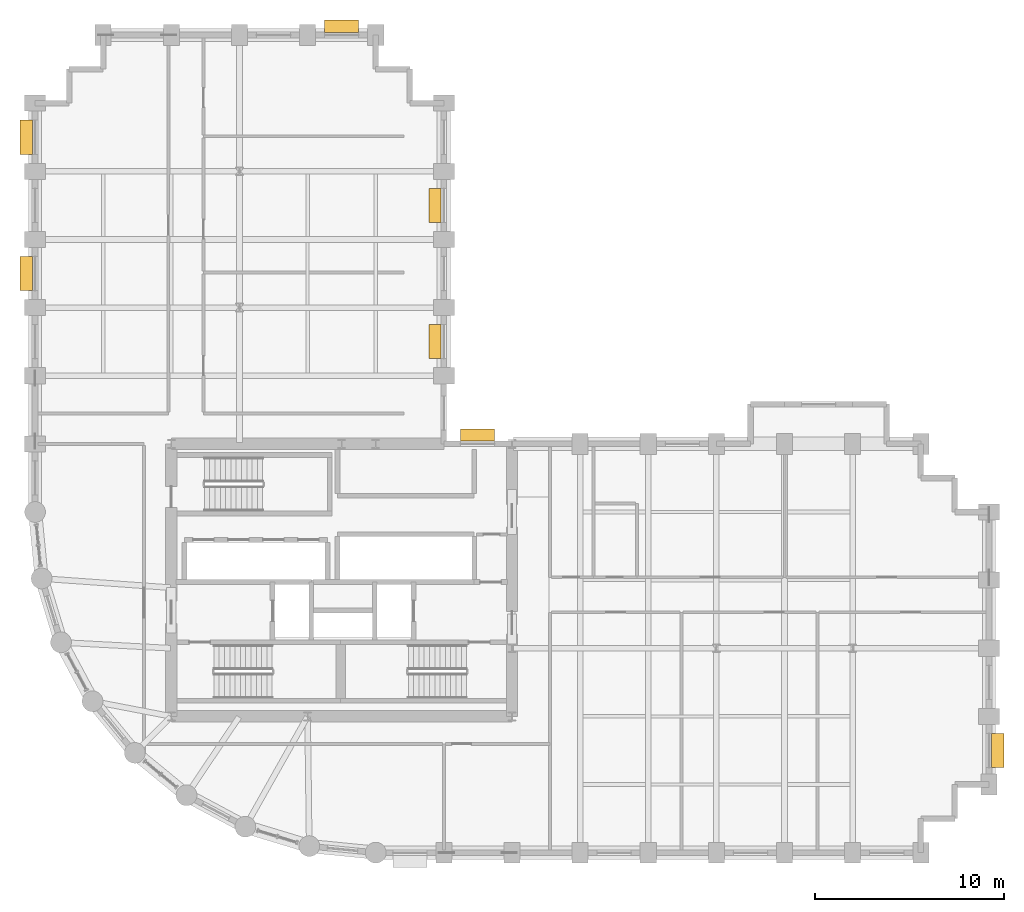
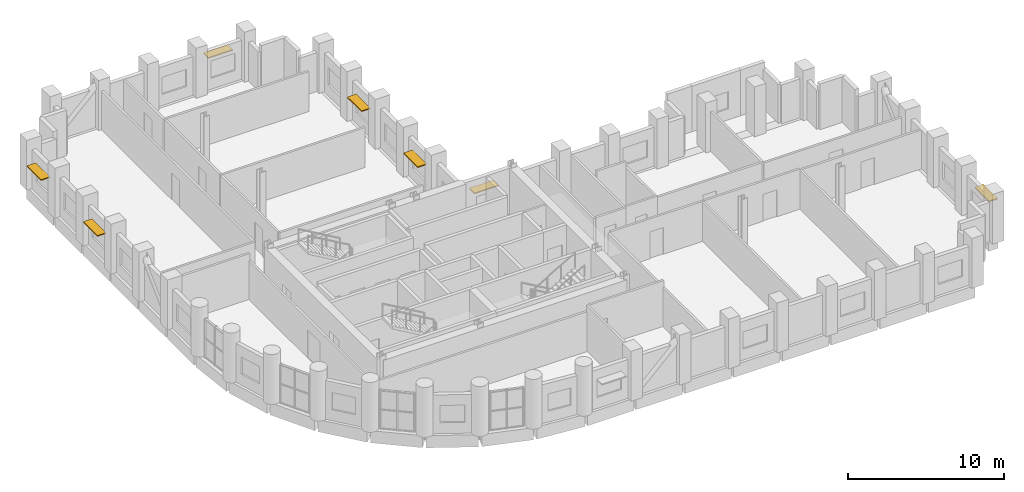
# One storey, part 13 of 13: 7 shading devices.
"""IFC4 building model written with IfcOpenShell, lengths in metres."""

from ifc_helpers import new_model, si_unit, direction, frame, origin, origin_2d, place, context, subcontext, project, spatial, rectangle, extrude, material, layer, layer_set, type_object, element, save


model = new_model("IFC4")

# Units and contexts
model_context = context("Model", 3, precision=1e-05, world=origin(), true_north=direction((0.0, 1.0)))
body_context = subcontext(model_context, "Body", "Model", "MODEL_VIEW")
ifc_project = project(units=[si_unit("LENGTHUNIT", "METRE"), si_unit("AREAUNIT", "SQUARE_METRE"), si_unit("VOLUMEUNIT", "CUBIC_METRE"), si_unit("PLANEANGLEUNIT", "RADIAN"), si_unit("MASSUNIT", "GRAM", prefix="KILO")], contexts=[model_context])

# Site, building, storey
site_placement = place(None, origin())
site = spatial("IfcSite", under=ifc_project, at=site_placement, CompositionType="ELEMENT")
building_placement = place(site_placement, origin())
building = spatial("IfcBuilding", under=site, at=building_placement, Name="Solnavia Interchange Tower", CompositionType="ELEMENT")
storey_placement = place(building_placement, frame((0.0, 0.0, 111.300048828125)))
storey = spatial("IfcBuildingStorey", under=building, at=storey_placement, Name="L27", CompositionType="ELEMENT", Elevation=111.300048828125)

# Shading devices
ifc_material = material(Name="Anodised Aluminium Sunshade", Category="aluminium")
ifc_layer = layer(ifc_material, 0.080078125)
ifc_layer_set = layer_set([ifc_layer], Name="Anodised Aluminium Sunshade")
shading_device_type = type_object("IfcShadingDeviceType", Name="Sunshade-Band-650", PredefinedType="SHUTTER", material=ifc_layer_set)
for number, where, z_axis, x_axis, name in (
    (1, (58.070068359375, 9.0, 2.219970703125), (0.0, 0.0, 1.0), (0.0, -1.0, 0.0), "SHD-L27-13 Horizontal sunshade band"),
    (2, (30.577880859375, 25.669921875, 2.219970703125), (0.0, 0.0, 1.0), (1.0, 0.0, 0.0), "SHD-L27-31 Horizontal sunshade band"),
    (3, (28.330078125, 30.60009765625, 2.219970703125), (0.0, 0.0, 1.0), (0.0, 1.0, 0.0), "SHD-L27-33 Horizontal sunshade band"),
    (4, (28.330078125, 37.800048828125, 2.219970703125), (0.0, 0.0, 1.0), (0.0, 1.0, 0.0), "SHD-L27-35 Horizontal sunshade band"),
    (5, (23.39990234375, 47.27001953125, 2.219970703125), (0.0, 0.0, 1.0), (1.0, 0.0, 0.0), "SHD-L27-41 Horizontal sunshade band"),
    (6, (6.72998046875, 41.39990234375, 2.219970703125), (0.0, 0.0, 1.0), (0.0, 1.0, 0.0), "SHD-L27-49 Horizontal sunshade band"),
    (7, (6.72998046875, 34.199951171875, 2.219970703125), (0.0, 0.0, 1.0), (0.0, 1.0, 0.0), "SHD-L27-51 Horizontal sunshade band"),
):
    element("IfcShadingDevice", number, at=place(storey_placement, frame(where, z_axis=z_axis, x_axis=x_axis)), inside=storey, type_object=shading_device_type, Name=name, PredefinedType="SHUTTER", context=body_context, shape_type="SweptSolid", body=[
        extrude(rectangle(XDim=1.800048828125, YDim=0.64990234375, at=origin_2d()), origin(), (0.0, 0.0, 1.0), 0.080078125),
    ])

save(model, "model.ifc")
